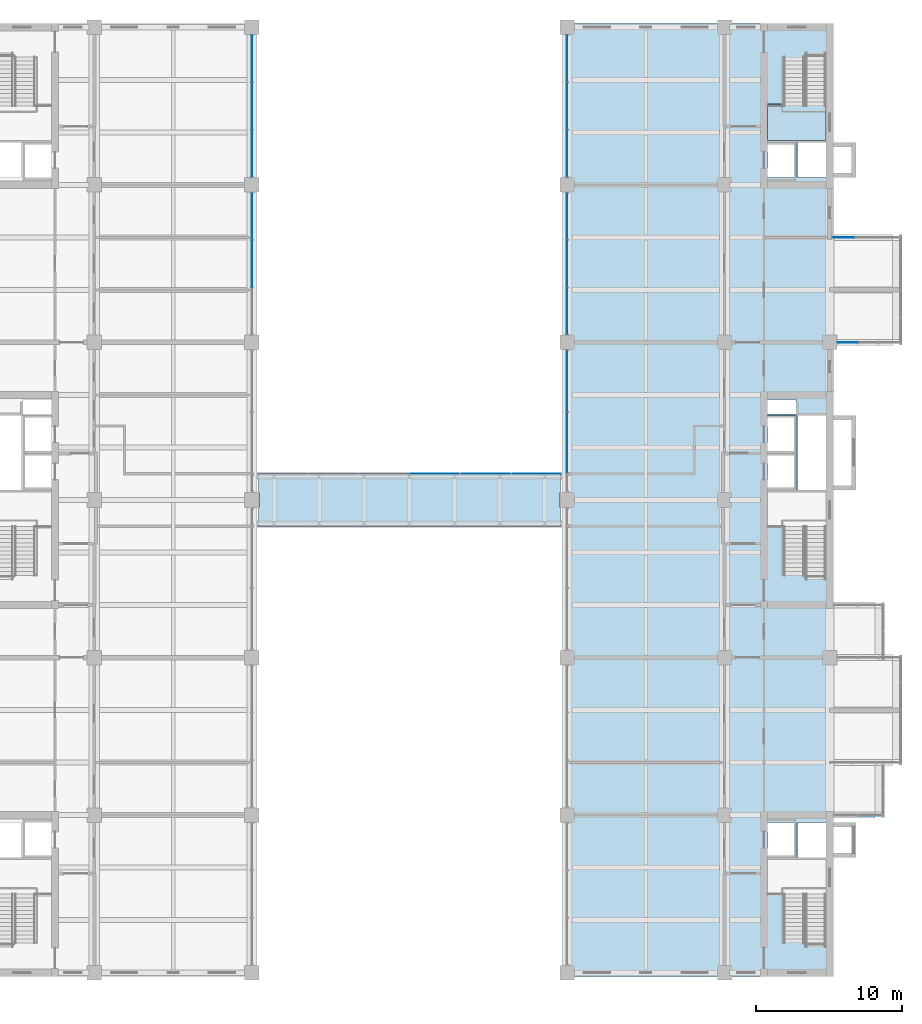
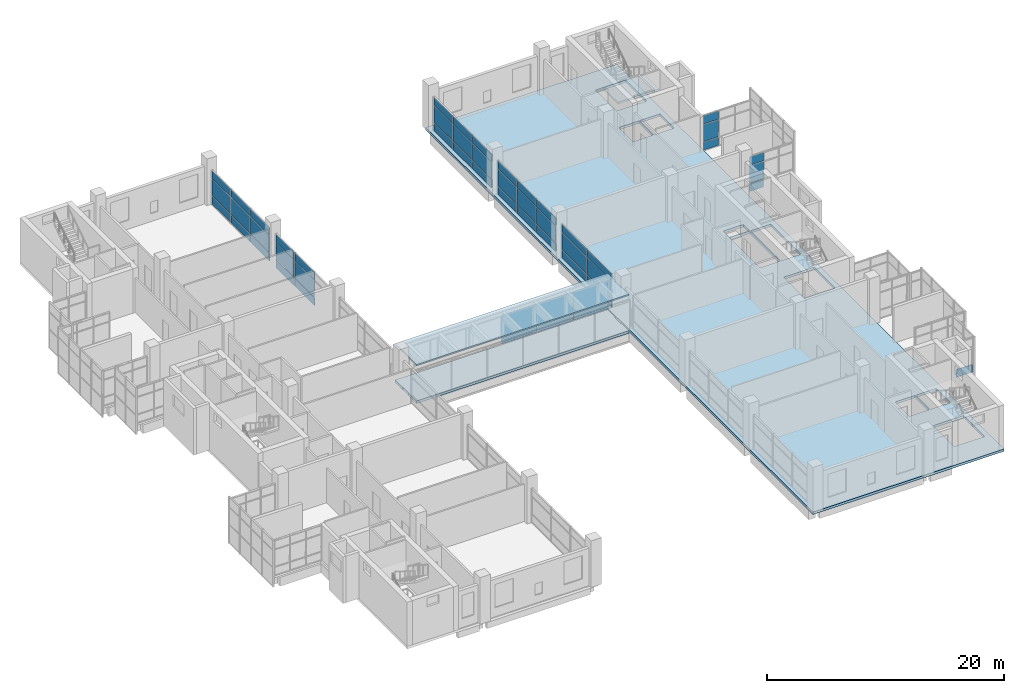
# One storey, part 23 of 35: 49 plates, 4 slabs, 10 elements without a shape of their own.
"""IFC4 building model written with IfcOpenShell, lengths in metres."""

from ifc_helpers import new_model, si_unit, direction, frame, origin, origin_2d, place, context, subcontext, project, spatial, polyline, rectangle, outline, extrude, material, layer, layer_set, type_object, element, aggregate, save


model = new_model("IFC4")

# Units and contexts
model_context = context("Model", 3, precision=1e-05, world=origin(), true_north=direction((0.0, 1.0)))
body_context = subcontext(model_context, "Body", "Model", "MODEL_VIEW")
ifc_project = project(units=[si_unit("LENGTHUNIT", "METRE"), si_unit("AREAUNIT", "SQUARE_METRE"), si_unit("VOLUMEUNIT", "CUBIC_METRE"), si_unit("PLANEANGLEUNIT", "RADIAN"), si_unit("MASSUNIT", "GRAM", prefix="KILO")], contexts=[model_context])

# Site, building, storey
site_placement = place(None, origin())
site = spatial("IfcSite", under=ifc_project, at=site_placement, CompositionType="ELEMENT")
building_placement = place(site_placement, origin())
building = spatial("IfcBuilding", under=site, at=building_placement, Name="Basin Gate Institute", CompositionType="ELEMENT")
storey_placement = place(building_placement, frame((0.0, 0.0, 31.800048828125)))
storey = spatial("IfcBuildingStorey", under=building, at=storey_placement, Name="L06", CompositionType="ELEMENT", Elevation=31.800048828125)

# Curtain wall, plates
ifc_material_1 = material(Name="Aluminium and glass curtain wall", Category="aluminium")
ifc_layer_1 = layer(ifc_material_1, 0.14990234375)
ifc_layer_set_1 = layer_set([ifc_layer_1], Name="Atrium curtain wall CW81")
curtain_wall_type_1 = type_object("IfcCurtainWallType", Name="Atrium curtain wall CW81", PredefinedType="NOTDEFINED", material=ifc_layer_set_1)
curtain_wall_1_placement = place(storey_placement, origin())
curtain_wall_1 = element("IfcCurtainWall", 1, at=curtain_wall_1_placement, inside=storey, type_object=curtain_wall_type_1, material=ifc_layer_set_1, Name="Bridge glazed enclosure L06 2", PredefinedType="NOTDEFINED")
ifc_material_2 = material(Name="Toughened glass", Category="glass")
ifc_layer_2 = layer(ifc_material_2, 0.028076171875)
ifc_layer_set_2 = layer_set([ifc_layer_2], Name="Atrium glass panel PN81")
plate_type_1 = type_object("IfcPlateType", Name="Atrium glass panel PN81", PredefinedType="CURTAIN_PANEL", material=ifc_layer_set_2)
plate_1_placement = place(storey_placement, frame((91.74169921875, 69.300048828125, 0.06005859375), z_axis=(0.0, 0.0, 1.0), x_axis=(1.0, 0.0, 0.0)))
plate_1 = element("IfcPlate", 2, at=plate_1_placement, type_object=plate_type_1, material=ifc_layer_set_2, Name="CW81 panel 4.1", PredefinedType="CURTAIN_PANEL", context=body_context, shape_type="SweptSolid", body=[
    extrude(rectangle(XDim=3.42333984375, YDim=0.028076171875, at=origin_2d()), origin(), (0.0, 0.0, 1.0), 2.97998046875),
])
plate_2_placement = place(storey_placement, frame((95.22509765625, 69.300048828125, 0.06005859375), z_axis=(0.0, 0.0, 1.0), x_axis=(1.0, 0.0, 0.0)))
plate_2 = element("IfcPlate", 3, at=plate_2_placement, type_object=plate_type_1, material=ifc_layer_set_2, Name="CW81 panel 5.1", PredefinedType="CURTAIN_PANEL", context=body_context, shape_type="SweptSolid", body=[
    extrude(rectangle(XDim=3.42333984375, YDim=0.028076171875, at=origin_2d()), origin(), (0.0, 0.0, 1.0), 2.97998046875),
])
plate_3_placement = place(storey_placement, frame((98.693359375, 69.300048828125, 0.06005859375), z_axis=(0.0, 0.0, 1.0), x_axis=(1.0, 0.0, 0.0)))
plate_3 = element("IfcPlate", 4, at=plate_3_placement, type_object=plate_type_1, material=ifc_layer_set_2, Name="CW81 panel 6.1", PredefinedType="CURTAIN_PANEL", context=body_context, shape_type="SweptSolid", body=[
    extrude(rectangle(XDim=3.393310546875, YDim=0.028076171875, at=origin_2d()), origin(), (0.0, 0.0, 1.0), 2.97998046875),
])
aggregate(curtain_wall_1, [plate_1, plate_2, plate_3])

# Slabs
ifc_material_3 = material(Name="Concrete 40 MPa", Category="concrete")
ifc_layer_3 = layer(ifc_material_3, 0.14990234375)
ifc_layer_set_3 = layer_set([ifc_layer_3], Name="Concrete 40 MPa")
slab_type_1 = type_object("IfcSlabType", Name="Slab RS77 R120", PredefinedType="ROOF", material=ifc_layer_set_3)
slab_1_placement = place(storey_placement, frame((0.0, 0.0, 3.599853515625)))
element("IfcSlab", 5, at=slab_1_placement, inside=storey, type_object=slab_type_1, material=ifc_layer_set_3, Name="Bridge roof slab R120 L06", PredefinedType="ROOF", context=body_context, shape_type="SweptSolid", body=[
    extrude(outline(polyline([(79.64990234375, 65.699951171875), (100.35009765625, 65.699951171875), (100.35009765625, 67.0), (100.300048828125, 67.0), (100.300048828125, 68.0), (100.35009765625, 68.0), (100.35009765625, 69.300048828125), (79.64990234375, 69.300048828125), (79.64990234375, 68.0), (79.699951171875, 68.0), (79.699951171875, 67.0), (79.64990234375, 67.0), (79.64990234375, 65.699951171875)])), origin(), (0.0, 0.0, 1.0), 0.150146484375),
])
ifc_material_4 = material(Name="Concrete 40 MPa", Category="concrete")
ifc_layer_4 = layer(ifc_material_4, 0.25)
ifc_layer_set_4 = layer_set([ifc_layer_4], Name="Concrete 40 MPa")
slab_type_2 = type_object("IfcSlabType", Name="Slab SL4 R120", PredefinedType="FLOOR", material=ifc_layer_set_4)
slab_2_placement = place(storey_placement, frame((0.0, 0.0, -0.25)))
element("IfcSlab", 6, at=slab_2_placement, inside=storey, type_object=slab_type_2, material=ifc_layer_set_4, Name="SLAB/L06/E", PredefinedType="FLOOR", context=body_context, shape_type="SweptSolid", body=[
    extrude(outline(polyline([(119.050048828125, 100.14990234375), (100.449951171875, 100.14990234375), (100.449951171875, 34.85009765625), (119.050048828125, 34.85009765625), (119.050048828125, 100.14990234375)]), holes=[polyline([(118.550048828125, 40.7900390625), (115.60009765625, 40.7900390625), (115.60009765625, 37.25), (118.550048828125, 37.25), (118.550048828125, 40.7900390625)]), polyline([(118.550048828125, 65.989990234375), (115.60009765625, 65.989990234375), (115.60009765625, 62.449951171875), (118.550048828125, 62.449951171875), (118.550048828125, 65.989990234375)]), polyline([(118.550048828125, 97.75), (115.60009765625, 97.75), (115.60009765625, 94.2099609375), (118.550048828125, 94.2099609375), (118.550048828125, 97.75)]), polyline([(118.550048828125, 45.39990234375), (116.60009765625, 45.39990234375), (116.60009765625, 43.0), (118.550048828125, 43.0), (118.550048828125, 45.39990234375)]), polyline([(118.550048828125, 73.300048828125), (116.60009765625, 73.300048828125), (116.60009765625, 68.199951171875), (118.550048828125, 68.199951171875), (118.550048828125, 73.300048828125)]), polyline([(116.5, 74.39990234375), (114.550048828125, 74.39990234375), (114.550048828125, 73.39990234375), (116.5, 73.39990234375), (116.5, 74.39990234375)]), polyline([(118.550048828125, 92.0), (116.60009765625, 92.0), (116.60009765625, 89.60009765625), (118.550048828125, 89.60009765625), (118.550048828125, 92.0)]), polyline([(116.5, 45.39990234375), (114.550048828125, 45.39990234375), (114.550048828125, 43.0), (116.5, 43.0), (116.5, 45.39990234375)]), polyline([(116.5, 68.199951171875), (114.550048828125, 68.199951171875), (114.550048828125, 73.300048828125), (116.5, 73.300048828125), (116.5, 68.199951171875)]), polyline([(116.5, 92.0), (114.550048828125, 92.0), (114.550048828125, 89.60009765625), (116.5, 89.60009765625), (116.5, 92.0)])]), origin(), (0.0, 0.0, 1.0), 0.25),
])
ifc_material_5 = material(Name="Concrete 40 MPa", Category="concrete")
ifc_layer_5 = layer(ifc_material_5, 0.25)
ifc_layer_set_5 = layer_set([ifc_layer_5], Name="Concrete 40 MPa")
slab_type_3 = type_object("IfcSlabType", Name="Slab SL77 R120", PredefinedType="FLOOR", material=ifc_layer_set_5)
slab_3_placement = place(storey_placement, frame((0.0, 0.0, -0.25)))
element("IfcSlab", 7, at=slab_3_placement, inside=storey, type_object=slab_type_3, material=ifc_layer_set_5, Name="Bridge floor slab Atrium Bridge R120 L06", PredefinedType="FLOOR", context=body_context, shape_type="SweptSolid", body=[
    extrude(outline(polyline([(79.64990234375, 65.699951171875), (100.35009765625, 65.699951171875), (100.35009765625, 67.0), (100.300048828125, 67.0), (100.300048828125, 68.0), (100.35009765625, 68.0), (100.35009765625, 69.300048828125), (79.64990234375, 69.300048828125), (79.64990234375, 68.0), (79.699951171875, 68.0), (79.699951171875, 67.0), (79.64990234375, 67.0), (79.64990234375, 65.699951171875)])), origin(), (0.0, 0.0, 1.0), 0.25),
])

# Curtain wall, plates
ifc_material_6 = material(Name="Aluminium-framed glazing", Category="aluminium")
ifc_layer_6 = layer(ifc_material_6, 0.199951171875)
ifc_layer_set_6 = layer_set([ifc_layer_6], Name="Atrium curtain wall CW2")
curtain_wall_type_2 = type_object("IfcCurtainWallType", Name="Atrium curtain wall CW2", PredefinedType="NOTDEFINED", material=ifc_layer_set_6)
curtain_wall_2_placement = place(storey_placement, origin())
curtain_wall_2 = element("IfcCurtainWall", 8, at=curtain_wall_2_placement, inside=storey, type_object=curtain_wall_type_2, material=ifc_layer_set_6, Name="Atrium curtain wall W wing atrium bay 5 L06", PredefinedType="NOTDEFINED")
ifc_material_7 = material(Name="Aluminium insulated spandrel panel", Category="aluminium")
ifc_layer_7 = layer(ifc_material_7, 0.050048828125)
ifc_layer_set_7 = layer_set([ifc_layer_7], Name="Spandrel panel PN2")
plate_type_2 = type_object("IfcPlateType", Name="Spandrel panel PN2", PredefinedType="CURTAIN_PANEL", material=ifc_layer_set_7)
plate_4_placement = place(storey_placement, frame((79.199951171875, 83.699951171875, 0.059814453125), z_axis=(0.0, 0.0, 1.0), x_axis=(0.0, 1.0, 0.0)))
plate_4 = element("IfcPlate", 9, at=plate_4_placement, type_object=plate_type_2, material=ifc_layer_set_7, Name="CW2 spandrel panel 2.1", PredefinedType="CURTAIN_PANEL", context=body_context, shape_type="SweptSolid", body=[
    extrude(rectangle(XDim=3.206787109375, YDim=0.050048828125, at=origin_2d()), origin(), (0.0, 0.0, 1.0), 0.81005859375),
])
plate_5_placement = place(storey_placement, frame((79.199951171875, 83.699951171875, 2.72998046875), z_axis=(0.0, 0.0, 1.0), x_axis=(0.0, 1.0, 0.0)))
plate_5 = element("IfcPlate", 10, at=plate_5_placement, type_object=plate_type_2, material=ifc_layer_set_7, Name="CW2 spandrel panel 2.3", PredefinedType="CURTAIN_PANEL", context=body_context, shape_type="SweptSolid", body=[
    extrude(rectangle(XDim=3.206787109375, YDim=0.050048828125, at=origin_2d()), origin(), (0.0, 0.0, 1.0), 0.760009765625),
])
plate_6_placement = place(storey_placement, frame((79.199951171875, 86.95166015625, 0.059814453125), z_axis=(0.0, 0.0, 1.0), x_axis=(0.0, 1.0, 0.0)))
plate_6 = element("IfcPlate", 11, at=plate_6_placement, type_object=plate_type_2, material=ifc_layer_set_7, Name="CW2 spandrel panel 3.1", PredefinedType="CURTAIN_PANEL", context=body_context, shape_type="SweptSolid", body=[
    extrude(rectangle(XDim=3.1767578125, YDim=0.050048828125, at=origin_2d()), origin(), (0.0, 0.0, 1.0), 0.81005859375),
])
plate_7_placement = place(storey_placement, frame((79.199951171875, 86.95166015625, 2.72998046875), z_axis=(0.0, 0.0, 1.0), x_axis=(0.0, 1.0, 0.0)))
plate_7 = element("IfcPlate", 12, at=plate_7_placement, type_object=plate_type_2, material=ifc_layer_set_7, Name="CW2 spandrel panel 3.3", PredefinedType="CURTAIN_PANEL", context=body_context, shape_type="SweptSolid", body=[
    extrude(rectangle(XDim=3.1767578125, YDim=0.050048828125, at=origin_2d()), origin(), (0.0, 0.0, 1.0), 0.760009765625),
])

curtain_wall_3_placement = place(storey_placement, origin())
curtain_wall_3 = element("IfcCurtainWall", 13, at=curtain_wall_3_placement, inside=storey, type_object=curtain_wall_type_2, material=ifc_layer_set_6, Name="Atrium curtain wall W wing atrium bay 6 L06", PredefinedType="NOTDEFINED")
plate_8_placement = place(storey_placement, frame((79.199951171875, 91.248291015625, 0.059814453125), z_axis=(0.0, 0.0, 1.0), x_axis=(0.0, 1.0, 0.0)))
plate_8 = element("IfcPlate", 14, at=plate_8_placement, type_object=plate_type_2, material=ifc_layer_set_7, Name="CW2 spandrel panel 1.1", PredefinedType="CURTAIN_PANEL", context=body_context, shape_type="SweptSolid", body=[
    extrude(rectangle(XDim=3.1767578125, YDim=0.050048828125, at=origin_2d()), origin(), (0.0, 0.0, 1.0), 0.81005859375),
])
plate_9_placement = place(storey_placement, frame((79.199951171875, 91.248291015625, 2.72998046875), z_axis=(0.0, 0.0, 1.0), x_axis=(0.0, 1.0, 0.0)))
plate_9 = element("IfcPlate", 15, at=plate_9_placement, type_object=plate_type_2, material=ifc_layer_set_7, Name="CW2 spandrel panel 1.3", PredefinedType="CURTAIN_PANEL", context=body_context, shape_type="SweptSolid", body=[
    extrude(rectangle(XDim=3.1767578125, YDim=0.050048828125, at=origin_2d()), origin(), (0.0, 0.0, 1.0), 0.760009765625),
])
plate_10_placement = place(storey_placement, frame((79.199951171875, 94.5, 0.059814453125), z_axis=(0.0, 0.0, 1.0), x_axis=(0.0, 1.0, 0.0)))
plate_10 = element("IfcPlate", 16, at=plate_10_placement, type_object=plate_type_2, material=ifc_layer_set_7, Name="CW2 spandrel panel 2.1", PredefinedType="CURTAIN_PANEL", context=body_context, shape_type="SweptSolid", body=[
    extrude(rectangle(XDim=3.206787109375, YDim=0.050048828125, at=origin_2d()), origin(), (0.0, 0.0, 1.0), 0.81005859375),
])
plate_11_placement = place(storey_placement, frame((79.199951171875, 94.5, 2.72998046875), z_axis=(0.0, 0.0, 1.0), x_axis=(0.0, 1.0, 0.0)))
plate_11 = element("IfcPlate", 17, at=plate_11_placement, type_object=plate_type_2, material=ifc_layer_set_7, Name="CW2 spandrel panel 2.3", PredefinedType="CURTAIN_PANEL", context=body_context, shape_type="SweptSolid", body=[
    extrude(rectangle(XDim=3.206787109375, YDim=0.050048828125, at=origin_2d()), origin(), (0.0, 0.0, 1.0), 0.760009765625),
])
plate_12_placement = place(storey_placement, frame((79.199951171875, 97.751708984375, 0.059814453125), z_axis=(0.0, 0.0, 1.0), x_axis=(0.0, 1.0, 0.0)))
plate_12 = element("IfcPlate", 18, at=plate_12_placement, type_object=plate_type_2, material=ifc_layer_set_7, Name="CW2 spandrel panel 3.1", PredefinedType="CURTAIN_PANEL", context=body_context, shape_type="SweptSolid", body=[
    extrude(rectangle(XDim=3.1767578125, YDim=0.050048828125, at=origin_2d()), origin(), (0.0, 0.0, 1.0), 0.81005859375),
])
plate_13_placement = place(storey_placement, frame((79.199951171875, 97.751708984375, 2.72998046875), z_axis=(0.0, 0.0, 1.0), x_axis=(0.0, 1.0, 0.0)))
plate_13 = element("IfcPlate", 19, at=plate_13_placement, type_object=plate_type_2, material=ifc_layer_set_7, Name="CW2 spandrel panel 3.3", PredefinedType="CURTAIN_PANEL", context=body_context, shape_type="SweptSolid", body=[
    extrude(rectangle(XDim=3.1767578125, YDim=0.050048828125, at=origin_2d()), origin(), (0.0, 0.0, 1.0), 0.760009765625),
])

curtain_wall_4_placement = place(storey_placement, origin())
curtain_wall_4 = element("IfcCurtainWall", 20, at=curtain_wall_4_placement, inside=storey, type_object=curtain_wall_type_2, material=ifc_layer_set_6, Name="Atrium curtain wall E wing atrium bay 4 L06 part 1", PredefinedType="NOTDEFINED")
plate_14_placement = place(storey_placement, frame((100.800048828125, 71.43994140625, 0.059814453125), z_axis=(0.0, 0.0, 1.0), x_axis=(0.0, 1.0, 0.0)))
plate_14 = element("IfcPlate", 21, at=plate_14_placement, type_object=plate_type_2, material=ifc_layer_set_7, Name="CW2 spandrel panel 1.1", PredefinedType="CURTAIN_PANEL", context=body_context, shape_type="SweptSolid", body=[
    extrude(rectangle(XDim=4.159912109375, YDim=0.050048828125, at=origin_2d()), origin(), (0.0, 0.0, 1.0), 0.81005859375),
])
plate_15_placement = place(storey_placement, frame((100.800048828125, 71.43994140625, 2.72998046875), z_axis=(0.0, 0.0, 1.0), x_axis=(0.0, 1.0, 0.0)))
plate_15 = element("IfcPlate", 22, at=plate_15_placement, type_object=plate_type_2, material=ifc_layer_set_7, Name="CW2 spandrel panel 1.3", PredefinedType="CURTAIN_PANEL", context=body_context, shape_type="SweptSolid", body=[
    extrude(rectangle(XDim=4.159912109375, YDim=0.050048828125, at=origin_2d()), origin(), (0.0, 0.0, 1.0), 0.760009765625),
])
plate_16_placement = place(storey_placement, frame((100.800048828125, 75.659912109375, 0.059814453125), z_axis=(0.0, 0.0, 1.0), x_axis=(0.0, 1.0, 0.0)))
plate_16 = element("IfcPlate", 23, at=plate_16_placement, type_object=plate_type_2, material=ifc_layer_set_7, Name="CW2 spandrel panel 2.1", PredefinedType="CURTAIN_PANEL", context=body_context, shape_type="SweptSolid", body=[
    extrude(rectangle(XDim=4.159912109375, YDim=0.050048828125, at=origin_2d()), origin(), (0.0, 0.0, 1.0), 0.81005859375),
])
plate_17_placement = place(storey_placement, frame((100.800048828125, 75.659912109375, 2.72998046875), z_axis=(0.0, 0.0, 1.0), x_axis=(0.0, 1.0, 0.0)))
plate_17 = element("IfcPlate", 24, at=plate_17_placement, type_object=plate_type_2, material=ifc_layer_set_7, Name="CW2 spandrel panel 2.3", PredefinedType="CURTAIN_PANEL", context=body_context, shape_type="SweptSolid", body=[
    extrude(rectangle(XDim=4.159912109375, YDim=0.050048828125, at=origin_2d()), origin(), (0.0, 0.0, 1.0), 0.760009765625),
])

curtain_wall_5_placement = place(storey_placement, origin())
curtain_wall_5 = element("IfcCurtainWall", 25, at=curtain_wall_5_placement, inside=storey, type_object=curtain_wall_type_2, material=ifc_layer_set_6, Name="Atrium curtain wall E wing atrium bay 5 L06", PredefinedType="NOTDEFINED")
plate_18_placement = place(storey_placement, frame((100.800048828125, 80.4482421875, 0.059814453125), z_axis=(0.0, 0.0, 1.0), x_axis=(0.0, 1.0, 0.0)))
plate_18 = element("IfcPlate", 26, at=plate_18_placement, type_object=plate_type_2, material=ifc_layer_set_7, Name="CW2 spandrel panel 1.1", PredefinedType="CURTAIN_PANEL", context=body_context, shape_type="SweptSolid", body=[
    extrude(rectangle(XDim=3.1767578125, YDim=0.050048828125, at=origin_2d()), origin(), (0.0, 0.0, 1.0), 0.81005859375),
])
plate_19_placement = place(storey_placement, frame((100.800048828125, 80.4482421875, 2.72998046875), z_axis=(0.0, 0.0, 1.0), x_axis=(0.0, 1.0, 0.0)))
plate_19 = element("IfcPlate", 27, at=plate_19_placement, type_object=plate_type_2, material=ifc_layer_set_7, Name="CW2 spandrel panel 1.3", PredefinedType="CURTAIN_PANEL", context=body_context, shape_type="SweptSolid", body=[
    extrude(rectangle(XDim=3.1767578125, YDim=0.050048828125, at=origin_2d()), origin(), (0.0, 0.0, 1.0), 0.760009765625),
])
plate_20_placement = place(storey_placement, frame((100.800048828125, 83.699951171875, 0.059814453125), z_axis=(0.0, 0.0, 1.0), x_axis=(0.0, 1.0, 0.0)))
plate_20 = element("IfcPlate", 28, at=plate_20_placement, type_object=plate_type_2, material=ifc_layer_set_7, Name="CW2 spandrel panel 2.1", PredefinedType="CURTAIN_PANEL", context=body_context, shape_type="SweptSolid", body=[
    extrude(rectangle(XDim=3.206787109375, YDim=0.050048828125, at=origin_2d()), origin(), (0.0, 0.0, 1.0), 0.81005859375),
])
plate_21_placement = place(storey_placement, frame((100.800048828125, 83.699951171875, 2.72998046875), z_axis=(0.0, 0.0, 1.0), x_axis=(0.0, 1.0, 0.0)))
plate_21 = element("IfcPlate", 29, at=plate_21_placement, type_object=plate_type_2, material=ifc_layer_set_7, Name="CW2 spandrel panel 2.3", PredefinedType="CURTAIN_PANEL", context=body_context, shape_type="SweptSolid", body=[
    extrude(rectangle(XDim=3.206787109375, YDim=0.050048828125, at=origin_2d()), origin(), (0.0, 0.0, 1.0), 0.760009765625),
])
plate_22_placement = place(storey_placement, frame((100.800048828125, 86.95166015625, 0.059814453125), z_axis=(0.0, 0.0, 1.0), x_axis=(0.0, 1.0, 0.0)))
plate_22 = element("IfcPlate", 30, at=plate_22_placement, type_object=plate_type_2, material=ifc_layer_set_7, Name="CW2 spandrel panel 3.1", PredefinedType="CURTAIN_PANEL", context=body_context, shape_type="SweptSolid", body=[
    extrude(rectangle(XDim=3.1767578125, YDim=0.050048828125, at=origin_2d()), origin(), (0.0, 0.0, 1.0), 0.81005859375),
])
plate_23_placement = place(storey_placement, frame((100.800048828125, 86.95166015625, 2.72998046875), z_axis=(0.0, 0.0, 1.0), x_axis=(0.0, 1.0, 0.0)))
plate_23 = element("IfcPlate", 31, at=plate_23_placement, type_object=plate_type_2, material=ifc_layer_set_7, Name="CW2 spandrel panel 3.3", PredefinedType="CURTAIN_PANEL", context=body_context, shape_type="SweptSolid", body=[
    extrude(rectangle(XDim=3.1767578125, YDim=0.050048828125, at=origin_2d()), origin(), (0.0, 0.0, 1.0), 0.760009765625),
])

curtain_wall_6_placement = place(storey_placement, origin())
curtain_wall_6 = element("IfcCurtainWall", 32, at=curtain_wall_6_placement, inside=storey, type_object=curtain_wall_type_2, material=ifc_layer_set_6, Name="Atrium curtain wall E wing atrium bay 6 L06", PredefinedType="NOTDEFINED")
plate_24_placement = place(storey_placement, frame((100.800048828125, 91.248291015625, 0.059814453125), z_axis=(0.0, 0.0, 1.0), x_axis=(0.0, 1.0, 0.0)))
plate_24 = element("IfcPlate", 33, at=plate_24_placement, type_object=plate_type_2, material=ifc_layer_set_7, Name="CW2 spandrel panel 1.1", PredefinedType="CURTAIN_PANEL", context=body_context, shape_type="SweptSolid", body=[
    extrude(rectangle(XDim=3.1767578125, YDim=0.050048828125, at=origin_2d()), origin(), (0.0, 0.0, 1.0), 0.81005859375),
])
plate_25_placement = place(storey_placement, frame((100.800048828125, 91.248291015625, 2.72998046875), z_axis=(0.0, 0.0, 1.0), x_axis=(0.0, 1.0, 0.0)))
plate_25 = element("IfcPlate", 34, at=plate_25_placement, type_object=plate_type_2, material=ifc_layer_set_7, Name="CW2 spandrel panel 1.3", PredefinedType="CURTAIN_PANEL", context=body_context, shape_type="SweptSolid", body=[
    extrude(rectangle(XDim=3.1767578125, YDim=0.050048828125, at=origin_2d()), origin(), (0.0, 0.0, 1.0), 0.760009765625),
])
plate_26_placement = place(storey_placement, frame((100.800048828125, 94.5, 0.059814453125), z_axis=(0.0, 0.0, 1.0), x_axis=(0.0, 1.0, 0.0)))
plate_26 = element("IfcPlate", 35, at=plate_26_placement, type_object=plate_type_2, material=ifc_layer_set_7, Name="CW2 spandrel panel 2.1", PredefinedType="CURTAIN_PANEL", context=body_context, shape_type="SweptSolid", body=[
    extrude(rectangle(XDim=3.206787109375, YDim=0.050048828125, at=origin_2d()), origin(), (0.0, 0.0, 1.0), 0.81005859375),
])
plate_27_placement = place(storey_placement, frame((100.800048828125, 94.5, 2.72998046875), z_axis=(0.0, 0.0, 1.0), x_axis=(0.0, 1.0, 0.0)))
plate_27 = element("IfcPlate", 36, at=plate_27_placement, type_object=plate_type_2, material=ifc_layer_set_7, Name="CW2 spandrel panel 2.3", PredefinedType="CURTAIN_PANEL", context=body_context, shape_type="SweptSolid", body=[
    extrude(rectangle(XDim=3.206787109375, YDim=0.050048828125, at=origin_2d()), origin(), (0.0, 0.0, 1.0), 0.760009765625),
])
plate_28_placement = place(storey_placement, frame((100.800048828125, 97.751708984375, 0.059814453125), z_axis=(0.0, 0.0, 1.0), x_axis=(0.0, 1.0, 0.0)))
plate_28 = element("IfcPlate", 37, at=plate_28_placement, type_object=plate_type_2, material=ifc_layer_set_7, Name="CW2 spandrel panel 3.1", PredefinedType="CURTAIN_PANEL", context=body_context, shape_type="SweptSolid", body=[
    extrude(rectangle(XDim=3.1767578125, YDim=0.050048828125, at=origin_2d()), origin(), (0.0, 0.0, 1.0), 0.81005859375),
])
plate_29_placement = place(storey_placement, frame((100.800048828125, 97.751708984375, 2.72998046875), z_axis=(0.0, 0.0, 1.0), x_axis=(0.0, 1.0, 0.0)))
plate_29 = element("IfcPlate", 38, at=plate_29_placement, type_object=plate_type_2, material=ifc_layer_set_7, Name="CW2 spandrel panel 3.3", PredefinedType="CURTAIN_PANEL", context=body_context, shape_type="SweptSolid", body=[
    extrude(rectangle(XDim=3.1767578125, YDim=0.050048828125, at=origin_2d()), origin(), (0.0, 0.0, 1.0), 0.760009765625),
])

# Curtain wall, plate
ifc_material_8 = material(Name="Aluminium-framed glazing", Category="aluminium")
ifc_layer_8 = layer(ifc_material_8, 0.14990234375)
ifc_layer_set_8 = layer_set([ifc_layer_8], Name="Capsule front curtain wall CW1")
curtain_wall_type_3 = type_object("IfcCurtainWallType", Name="Capsule front curtain wall CW1", PredefinedType="NOTDEFINED", material=ifc_layer_set_8)
curtain_wall_7_placement = place(storey_placement, origin())
curtain_wall_7 = element("IfcCurtainWall", 39, at=curtain_wall_7_placement, inside=storey, type_object=curtain_wall_type_3, material=ifc_layer_set_8, Name="Capsule front curtain wall E wing capsule end L06 line 4", PredefinedType="NOTDEFINED")
plate_30_placement = place(storey_placement, frame((121.550048828125, 45.89990234375, 0.059814453125), z_axis=(0.0, 0.0, 1.0), x_axis=(-1.0, 0.0, 0.0)))
plate_30 = element("IfcPlate", 40, at=plate_30_placement, type_object=plate_type_2, material=ifc_layer_set_7, Name="CW1 spandrel panel 1.1", PredefinedType="CURTAIN_PANEL", context=body_context, shape_type="SweptSolid", body=[
    extrude(rectangle(XDim=1.60009765625, YDim=0.050048828125, at=origin_2d()), origin(), (0.0, 0.0, 1.0), 0.81005859375),
])
aggregate(curtain_wall_7, [plate_30])

curtain_wall_8_placement = place(storey_placement, origin())
curtain_wall_8 = element("IfcCurtainWall", 41, at=curtain_wall_8_placement, inside=storey, type_object=curtain_wall_type_3, material=ifc_layer_set_8, Name="Capsule front curtain wall E wing capsule end L06 line 13", PredefinedType="NOTDEFINED")
plate_31_placement = place(storey_placement, frame((120.029052734375, 78.300048828125, 0.059814453125), z_axis=(0.0, 0.0, 1.0), x_axis=(-1.0, 0.0, 0.0)))
plate_31 = element("IfcPlate", 42, at=plate_31_placement, type_object=plate_type_2, material=ifc_layer_set_7, Name="CW1 spandrel panel 3.1", PredefinedType="CURTAIN_PANEL", context=body_context, shape_type="SweptSolid", body=[
    extrude(rectangle(XDim=1.3583984375, YDim=0.050048828125, at=origin_2d()), origin(), (0.0, 0.0, 1.0), 0.81005859375),
])

curtain_wall_9_placement = place(storey_placement, origin())
curtain_wall_9 = element("IfcCurtainWall", 43, at=curtain_wall_9_placement, inside=storey, type_object=curtain_wall_type_3, material=ifc_layer_set_8, Name="Capsule front curtain wall E wing capsule end L06 line 15", PredefinedType="NOTDEFINED")
plate_32_placement = place(storey_placement, frame((119.737548828125, 85.5, 0.059814453125), z_axis=(0.0, 0.0, 1.0), x_axis=(-1.0, 0.0, 0.0)))
plate_32 = element("IfcPlate", 44, at=plate_32_placement, type_object=plate_type_2, material=ifc_layer_set_7, Name="CW1 spandrel panel 3.1", PredefinedType="CURTAIN_PANEL", context=body_context, shape_type="SweptSolid", body=[
    extrude(rectangle(XDim=1.47509765625, YDim=0.050048828125, at=origin_2d()), origin(), (0.0, 0.0, 1.0), 0.81005859375),
])

# Stair, slab
ifc_material_9 = material(Name="Concrete 40 MPa", Category="concrete")
stair_type = type_object("IfcStairType", Name="Stair ST", PredefinedType="HALF_TURN_STAIR", material=ifc_material_9)
stair_placement = place(storey_placement, origin())
stair = element("IfcStair", 45, at=stair_placement, inside=storey, type_object=stair_type, material=ifc_material_9, Name="Special safe stair ST-EN L06", PredefinedType="HALF_TURN_STAIR")
ifc_material_10 = material(Name="Concrete 40 MPa", Category="concrete")
ifc_layer_9 = layer(ifc_material_10, 0.199951171875)
ifc_layer_set_9 = layer_set([ifc_layer_9], Name="Concrete 40 MPa")
slab_type_4 = type_object("IfcSlabType", Name="Stair landing LN REI 120", PredefinedType="LANDING", material=ifc_layer_set_9)
slab_4_placement = place(storey_placement, frame((0.0, 0.0, 2.288818359375)))
slab_4 = element("IfcSlab", 46, at=slab_4_placement, type_object=slab_type_4, material=ifc_layer_set_9, Name="Stair landing ST-EN-L1 L06", PredefinedType="LANDING", context=body_context, shape_type="SweptSolid", body=[
    extrude(outline(polyline([(118.550048828125, 94.6298828125), (114.550048828125, 94.6298828125), (114.550048828125, 92.14990234375), (118.550048828125, 92.14990234375), (118.550048828125, 94.6298828125)])), origin(), (0.0, 0.0, 1.0), 0.199951171875),
])
aggregate(stair, [slab_4])

# Plate
ifc_material_11 = material(Name="Double glazed unit")
ifc_layer_10 = layer(ifc_material_11, 0.028076171875)
ifc_layer_set_10 = layer_set([ifc_layer_10], Name="Vision panel PN1")
plate_type_3 = type_object("IfcPlateType", Name="Vision panel PN1", PredefinedType="CURTAIN_PANEL", material=ifc_layer_set_10)
plate_33_placement = place(storey_placement, frame((79.199951171875, 83.699951171875, 0.93017578125), z_axis=(0.0, 0.0, 1.0), x_axis=(0.0, 1.0, 0.0)))
plate_33 = element("IfcPlate", 47, at=plate_33_placement, type_object=plate_type_3, material=ifc_layer_set_10, Name="CW2 vision panel 2.2", PredefinedType="CURTAIN_PANEL", context=body_context, shape_type="SweptSolid", body=[
    extrude(rectangle(XDim=3.206787109375, YDim=0.028076171875, at=origin_2d()), origin(), (0.0, 0.0, 1.0), 1.739990234375),
])

plate_34_placement = place(storey_placement, frame((79.199951171875, 86.95166015625, 0.93017578125), z_axis=(0.0, 0.0, 1.0), x_axis=(0.0, 1.0, 0.0)))
plate_34 = element("IfcPlate", 48, at=plate_34_placement, type_object=plate_type_3, material=ifc_layer_set_10, Name="CW2 vision panel 3.2", PredefinedType="CURTAIN_PANEL", context=body_context, shape_type="SweptSolid", body=[
    extrude(rectangle(XDim=3.1767578125, YDim=0.028076171875, at=origin_2d()), origin(), (0.0, 0.0, 1.0), 1.739990234375),
])

aggregate(curtain_wall_2, [plate_4, plate_33, plate_5, plate_6, plate_34, plate_7])

plate_35_placement = place(storey_placement, frame((79.199951171875, 91.248291015625, 0.93017578125), z_axis=(0.0, 0.0, 1.0), x_axis=(0.0, 1.0, 0.0)))
plate_35 = element("IfcPlate", 49, at=plate_35_placement, type_object=plate_type_3, material=ifc_layer_set_10, Name="CW2 vision panel 1.2", PredefinedType="CURTAIN_PANEL", context=body_context, shape_type="SweptSolid", body=[
    extrude(rectangle(XDim=3.1767578125, YDim=0.028076171875, at=origin_2d()), origin(), (0.0, 0.0, 1.0), 1.739990234375),
])

plate_36_placement = place(storey_placement, frame((79.199951171875, 94.5, 0.93017578125), z_axis=(0.0, 0.0, 1.0), x_axis=(0.0, 1.0, 0.0)))
plate_36 = element("IfcPlate", 50, at=plate_36_placement, type_object=plate_type_3, material=ifc_layer_set_10, Name="CW2 vision panel 2.2", PredefinedType="CURTAIN_PANEL", context=body_context, shape_type="SweptSolid", body=[
    extrude(rectangle(XDim=3.206787109375, YDim=0.028076171875, at=origin_2d()), origin(), (0.0, 0.0, 1.0), 1.739990234375),
])

plate_37_placement = place(storey_placement, frame((79.199951171875, 97.751708984375, 0.93017578125), z_axis=(0.0, 0.0, 1.0), x_axis=(0.0, 1.0, 0.0)))
plate_37 = element("IfcPlate", 51, at=plate_37_placement, type_object=plate_type_3, material=ifc_layer_set_10, Name="CW2 vision panel 3.2", PredefinedType="CURTAIN_PANEL", context=body_context, shape_type="SweptSolid", body=[
    extrude(rectangle(XDim=3.1767578125, YDim=0.028076171875, at=origin_2d()), origin(), (0.0, 0.0, 1.0), 1.739990234375),
])

aggregate(curtain_wall_3, [plate_8, plate_35, plate_9, plate_10, plate_36, plate_11, plate_12, plate_37, plate_13])

plate_38_placement = place(storey_placement, frame((100.800048828125, 71.43994140625, 0.93017578125), z_axis=(0.0, 0.0, 1.0), x_axis=(0.0, 1.0, 0.0)))
plate_38 = element("IfcPlate", 52, at=plate_38_placement, type_object=plate_type_3, material=ifc_layer_set_10, Name="CW2 vision panel 1.2", PredefinedType="CURTAIN_PANEL", context=body_context, shape_type="SweptSolid", body=[
    extrude(rectangle(XDim=4.159912109375, YDim=0.028076171875, at=origin_2d()), origin(), (0.0, 0.0, 1.0), 1.739990234375),
])

plate_39_placement = place(storey_placement, frame((100.800048828125, 75.659912109375, 0.93017578125), z_axis=(0.0, 0.0, 1.0), x_axis=(0.0, 1.0, 0.0)))
plate_39 = element("IfcPlate", 53, at=plate_39_placement, type_object=plate_type_3, material=ifc_layer_set_10, Name="CW2 vision panel 2.2", PredefinedType="CURTAIN_PANEL", context=body_context, shape_type="SweptSolid", body=[
    extrude(rectangle(XDim=4.159912109375, YDim=0.028076171875, at=origin_2d()), origin(), (0.0, 0.0, 1.0), 1.739990234375),
])

aggregate(curtain_wall_4, [plate_14, plate_38, plate_15, plate_16, plate_39, plate_17])

plate_40_placement = place(storey_placement, frame((100.800048828125, 80.4482421875, 0.93017578125), z_axis=(0.0, 0.0, 1.0), x_axis=(0.0, 1.0, 0.0)))
plate_40 = element("IfcPlate", 54, at=plate_40_placement, type_object=plate_type_3, material=ifc_layer_set_10, Name="CW2 vision panel 1.2", PredefinedType="CURTAIN_PANEL", context=body_context, shape_type="SweptSolid", body=[
    extrude(rectangle(XDim=3.1767578125, YDim=0.028076171875, at=origin_2d()), origin(), (0.0, 0.0, 1.0), 1.739990234375),
])

plate_41_placement = place(storey_placement, frame((100.800048828125, 83.699951171875, 0.93017578125), z_axis=(0.0, 0.0, 1.0), x_axis=(0.0, 1.0, 0.0)))
plate_41 = element("IfcPlate", 55, at=plate_41_placement, type_object=plate_type_3, material=ifc_layer_set_10, Name="CW2 vision panel 2.2", PredefinedType="CURTAIN_PANEL", context=body_context, shape_type="SweptSolid", body=[
    extrude(rectangle(XDim=3.206787109375, YDim=0.028076171875, at=origin_2d()), origin(), (0.0, 0.0, 1.0), 1.739990234375),
])

plate_42_placement = place(storey_placement, frame((100.800048828125, 86.95166015625, 0.93017578125), z_axis=(0.0, 0.0, 1.0), x_axis=(0.0, 1.0, 0.0)))
plate_42 = element("IfcPlate", 56, at=plate_42_placement, type_object=plate_type_3, material=ifc_layer_set_10, Name="CW2 vision panel 3.2", PredefinedType="CURTAIN_PANEL", context=body_context, shape_type="SweptSolid", body=[
    extrude(rectangle(XDim=3.1767578125, YDim=0.028076171875, at=origin_2d()), origin(), (0.0, 0.0, 1.0), 1.739990234375),
])

aggregate(curtain_wall_5, [plate_18, plate_40, plate_19, plate_20, plate_41, plate_21, plate_22, plate_42, plate_23])

plate_43_placement = place(storey_placement, frame((100.800048828125, 91.248291015625, 0.93017578125), z_axis=(0.0, 0.0, 1.0), x_axis=(0.0, 1.0, 0.0)))
plate_43 = element("IfcPlate", 57, at=plate_43_placement, type_object=plate_type_3, material=ifc_layer_set_10, Name="CW2 vision panel 1.2", PredefinedType="CURTAIN_PANEL", context=body_context, shape_type="SweptSolid", body=[
    extrude(rectangle(XDim=3.1767578125, YDim=0.028076171875, at=origin_2d()), origin(), (0.0, 0.0, 1.0), 1.739990234375),
])

plate_44_placement = place(storey_placement, frame((100.800048828125, 94.5, 0.93017578125), z_axis=(0.0, 0.0, 1.0), x_axis=(0.0, 1.0, 0.0)))
plate_44 = element("IfcPlate", 58, at=plate_44_placement, type_object=plate_type_3, material=ifc_layer_set_10, Name="CW2 vision panel 2.2", PredefinedType="CURTAIN_PANEL", context=body_context, shape_type="SweptSolid", body=[
    extrude(rectangle(XDim=3.206787109375, YDim=0.028076171875, at=origin_2d()), origin(), (0.0, 0.0, 1.0), 1.739990234375),
])

plate_45_placement = place(storey_placement, frame((100.800048828125, 97.751708984375, 0.93017578125), z_axis=(0.0, 0.0, 1.0), x_axis=(0.0, 1.0, 0.0)))
plate_45 = element("IfcPlate", 59, at=plate_45_placement, type_object=plate_type_3, material=ifc_layer_set_10, Name="CW2 vision panel 3.2", PredefinedType="CURTAIN_PANEL", context=body_context, shape_type="SweptSolid", body=[
    extrude(rectangle(XDim=3.1767578125, YDim=0.028076171875, at=origin_2d()), origin(), (0.0, 0.0, 1.0), 1.739990234375),
])

aggregate(curtain_wall_6, [plate_24, plate_43, plate_25, plate_26, plate_44, plate_27, plate_28, plate_45, plate_29])

plate_46_placement = place(storey_placement, frame((120.029052734375, 78.300048828125, 0.93017578125), z_axis=(0.0, 0.0, 1.0), x_axis=(-1.0, 0.0, 0.0)))
plate_46 = element("IfcPlate", 60, at=plate_46_placement, type_object=plate_type_3, material=ifc_layer_set_10, Name="CW1 vision panel 3.2", PredefinedType="CURTAIN_PANEL", context=body_context, shape_type="SweptSolid", body=[
    extrude(rectangle(XDim=1.3583984375, YDim=0.028076171875, at=origin_2d()), origin(), (0.0, 0.0, 1.0), 1.739990234375),
])

plate_47_placement = place(storey_placement, frame((120.029052734375, 78.300048828125, 2.72998046875), z_axis=(0.0, 0.0, 1.0), x_axis=(-1.0, 0.0, 0.0)))
plate_47 = element("IfcPlate", 61, at=plate_47_placement, type_object=plate_type_3, material=ifc_layer_set_10, Name="CW1 vision panel 3.3", PredefinedType="CURTAIN_PANEL", context=body_context, shape_type="SweptSolid", body=[
    extrude(rectangle(XDim=1.3583984375, YDim=0.028076171875, at=origin_2d()), origin(), (0.0, 0.0, 1.0), 0.860107421875),
])

aggregate(curtain_wall_8, [plate_31, plate_46, plate_47])

plate_48_placement = place(storey_placement, frame((119.737548828125, 85.5, 0.93017578125), z_axis=(0.0, 0.0, 1.0), x_axis=(-1.0, 0.0, 0.0)))
plate_48 = element("IfcPlate", 62, at=plate_48_placement, type_object=plate_type_3, material=ifc_layer_set_10, Name="CW1 vision panel 3.2", PredefinedType="CURTAIN_PANEL", context=body_context, shape_type="SweptSolid", body=[
    extrude(rectangle(XDim=1.47509765625, YDim=0.028076171875, at=origin_2d()), origin(), (0.0, 0.0, 1.0), 1.739990234375),
])

plate_49_placement = place(storey_placement, frame((119.737548828125, 85.5, 2.72998046875), z_axis=(0.0, 0.0, 1.0), x_axis=(-1.0, 0.0, 0.0)))
plate_49 = element("IfcPlate", 63, at=plate_49_placement, type_object=plate_type_3, material=ifc_layer_set_10, Name="CW1 vision panel 3.3", PredefinedType="CURTAIN_PANEL", context=body_context, shape_type="SweptSolid", body=[
    extrude(rectangle(XDim=1.47509765625, YDim=0.028076171875, at=origin_2d()), origin(), (0.0, 0.0, 1.0), 0.860107421875),
])

aggregate(curtain_wall_9, [plate_32, plate_48, plate_49])

save(model, "model.ifc")
